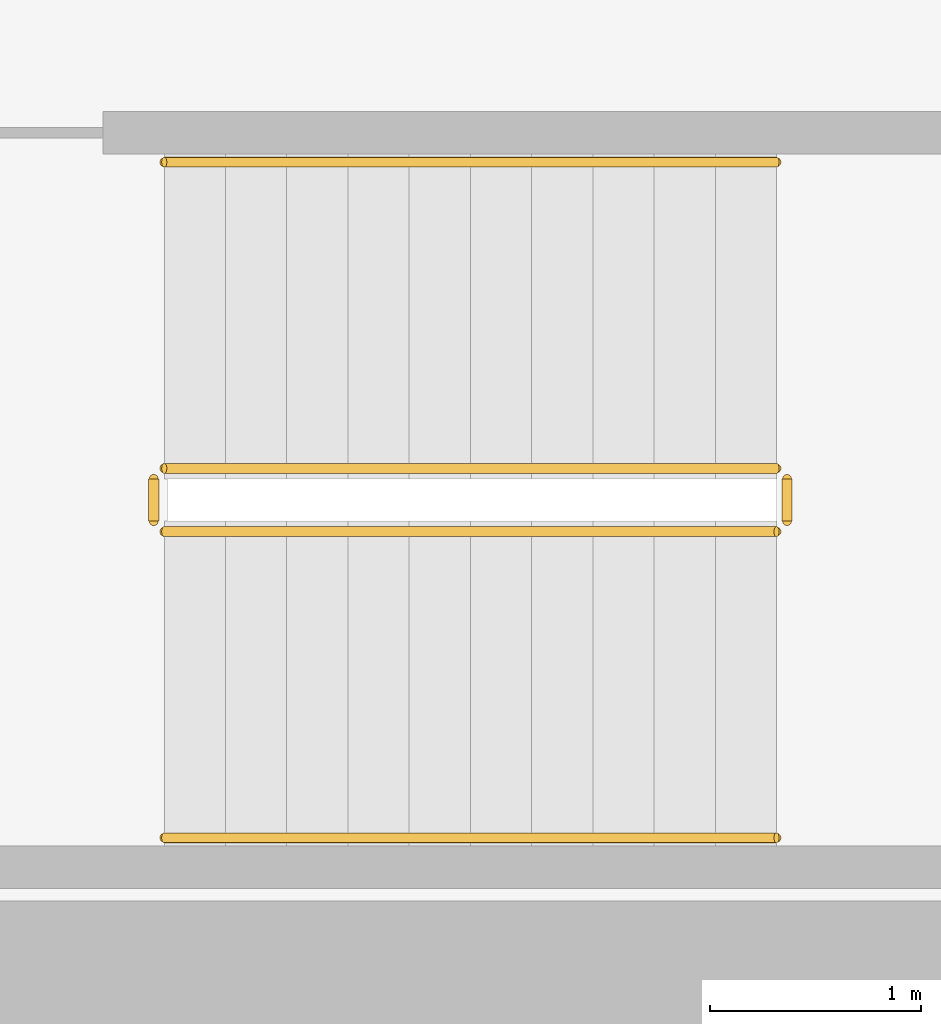
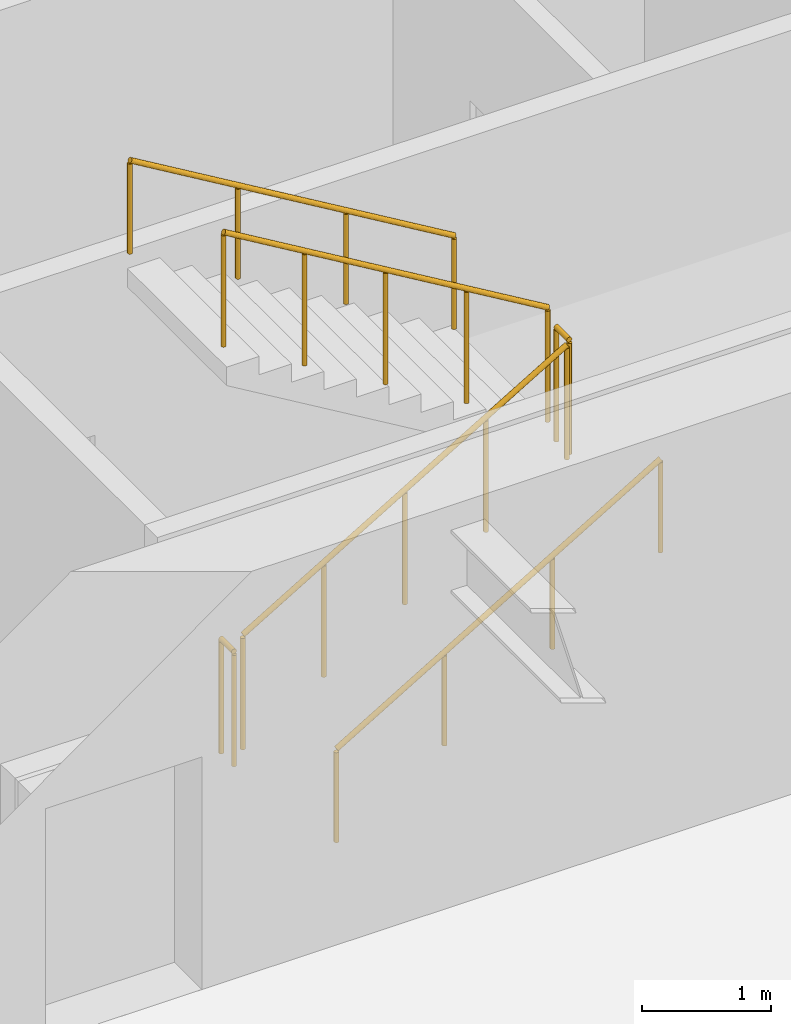
# One storey, part 19 of 20: 6 railings.
"""IFC4 building model written with IfcOpenShell, lengths in metres."""

from ifc_helpers import new_model, si_unit, direction, frame, origin, origin_2d, place, context, subcontext, project, spatial, circle, extrude, material, type_object, element, save


model = new_model("IFC4")

# Units and contexts
model_context = context("Model", 3, precision=1e-05, world=origin(), true_north=direction((0.0, 1.0)))
body_context = subcontext(model_context, "Body", "Model", "MODEL_VIEW")
ifc_project = project(units=[si_unit("LENGTHUNIT", "METRE"), si_unit("AREAUNIT", "SQUARE_METRE"), si_unit("VOLUMEUNIT", "CUBIC_METRE"), si_unit("PLANEANGLEUNIT", "RADIAN"), si_unit("MASSUNIT", "GRAM", prefix="KILO")], contexts=[model_context])

# Site, building, storey
site_placement = place(None, origin())
site = spatial("IfcSite", under=ifc_project, at=site_placement, CompositionType="ELEMENT")
building_placement = place(site_placement, origin())
building = spatial("IfcBuilding", under=site, at=building_placement, Name="Putna Gate Headquarters", CompositionType="ELEMENT")
storey_placement = place(building_placement, frame((0.0, 0.0, 112.60009765625)))
storey = spatial("IfcBuildingStorey", under=building, at=storey_placement, Name="L27", CompositionType="ELEMENT", Elevation=112.60009765625)

# Railings
ifc_material_1 = material(Name="Powder-coated steel stair guardrail", Category="steel")
railing_type_1 = type_object("IfcRailingType", Name="RAIL-STAIR-GUARD-1100", PredefinedType="GUARDRAIL", material=ifc_material_1)
railing_1_placement = place(storey_placement, frame((57.89990234375, 21.10009765625, 0.172607421875)))
element("IfcRailing", 1, at=railing_1_placement, inside=storey, type_object=railing_type_1, Name="L27 ST2 stair guard 1", PredefinedType="GUARDRAIL", context=body_context, shape_type="SweptSolid", body=[
    extrude(circle(Radius=0.02392578125, at=origin_2d()), frame((0.0, 0.0, 1.076171875), z_axis=(0.859160404282, 0.0, 0.51170636083), x_axis=(0.0, 1.0, 0.0)), (0.0, 0.0, 1.0), 3.37548828125),
    extrude(circle(Radius=0.02099609375, at=origin_2d()), origin(), (0.0, 0.0, 1.0), 1.052001953125),
    extrude(circle(Radius=0.02099609375, at=origin_2d()), frame((0.72509765625, 0.0, 0.431884765625)), (0.0, 0.0, 1.0), 1.052001953125),
    extrude(circle(Radius=0.02099609375, at=origin_2d()), frame((1.4501953125, 0.0, 0.86376953125)), (0.0, 0.0, 1.0), 1.052001953125),
    extrude(circle(Radius=0.02099609375, at=origin_2d()), frame((2.175048828125, 0.0, 1.29541015625)), (0.0, 0.0, 1.0), 1.052001953125),
    extrude(circle(Radius=0.02099609375, at=origin_2d()), frame((2.900146484375, 0.0, 1.727294921875)), (0.0, 0.0, 1.0), 1.052001953125),
])
railing_2_placement = place(storey_placement, frame((60.85009765625, 21.14990234375, 1.89990234375)))
element("IfcRailing", 2, at=railing_2_placement, inside=storey, type_object=railing_type_1, Name="L27 ST2 stair guard 2", PredefinedType="GUARDRAIL", context=body_context, shape_type="SweptSolid", body=[
    extrude(circle(Radius=0.02392578125, at=origin_2d()), frame((0.0, 0.0, 1.076171875), z_axis=(0.0, 1.0, 0.0), x_axis=(-1.0, 0.0, 0.0)), (0.0, 0.0, 1.0), 0.2001953125),
    extrude(circle(Radius=0.02099609375, at=origin_2d()), origin(), (0.0, 0.0, 1.0), 1.052001953125),
    extrude(circle(Radius=0.02099609375, at=origin_2d()), frame((0.0, 0.2001953125, 0.0)), (0.0, 0.0, 1.0), 1.052001953125),
])
railing_3_placement = place(storey_placement, frame((60.800048828125, 21.39990234375, 2.072509765625)))
element("IfcRailing", 3, at=railing_3_placement, inside=storey, type_object=railing_type_1, Name="L27 ST2 stair guard 3", PredefinedType="GUARDRAIL", context=body_context, shape_type="SweptSolid", body=[
    extrude(circle(Radius=0.02392578125, at=origin_2d()), frame((0.0, 0.0, 1.076171875), z_axis=(-0.859160404282, 0.0, 0.51170636083), x_axis=(0.0, -1.0, 0.0)), (0.0, 0.0, 1.0), 3.37548828125),
    extrude(circle(Radius=0.02099609375, at=origin_2d()), origin(), (0.0, 0.0, 1.0), 1.052001953125),
    extrude(circle(Radius=0.02099609375, at=origin_2d()), frame((-0.72509765625, 0.0, 0.431884765625)), (0.0, 0.0, 1.0), 1.052001953125),
    extrude(circle(Radius=0.02099609375, at=origin_2d()), frame((-1.4501953125, 0.0, 0.86376953125)), (0.0, 0.0, 1.0), 1.052001953125),
    extrude(circle(Radius=0.02099609375, at=origin_2d()), frame((-2.175048828125, 0.0, 1.29541015625)), (0.0, 0.0, 1.0), 1.052001953125),
    extrude(circle(Radius=0.02099609375, at=origin_2d()), frame((-2.900146484375, 0.0, 1.727294921875)), (0.0, 0.0, 1.0), 1.052001953125),
])
railing_4_placement = place(storey_placement, frame((57.85009765625, 21.14990234375, 0.0)))
element("IfcRailing", 4, at=railing_4_placement, inside=storey, type_object=railing_type_1, Name="L27 ST2 stair guard 4", PredefinedType="GUARDRAIL", context=body_context, shape_type="SweptSolid", body=[
    extrude(circle(Radius=0.02392578125, at=origin_2d()), frame((0.0, 0.0, 1.076171875), z_axis=(0.0, 1.0, 0.0), x_axis=(-1.0, 0.0, 0.0)), (0.0, 0.0, 1.0), 0.2001953125),
    extrude(circle(Radius=0.02099609375, at=origin_2d()), origin(), (0.0, 0.0, 1.0), 1.052001953125),
    extrude(circle(Radius=0.02099609375, at=origin_2d()), frame((0.0, 0.2001953125, 0.0)), (0.0, 0.0, 1.0), 1.052001953125),
])
ifc_material_2 = material(Name="Brushed stainless steel handrail", Category="steel")
railing_type_2 = type_object("IfcRailingType", Name="RAIL-STAIR-HAND-900", PredefinedType="HANDRAIL", material=ifc_material_2)
railing_5_placement = place(storey_placement, frame((57.89990234375, 19.64990234375, 0.172607421875)))
element("IfcRailing", 5, at=railing_5_placement, inside=storey, type_object=railing_type_2, Name="L27 ST2 stair handrail 1", PredefinedType="HANDRAIL", context=body_context, shape_type="SweptSolid", body=[
    extrude(circle(Radius=0.02392578125, at=origin_2d()), frame((0.0, 0.0, 0.8759765625), z_axis=(0.859160404282, 0.0, 0.51170636083), x_axis=(0.0, 1.0, 0.0)), (0.0, 0.0, 1.0), 3.37548828125),
    extrude(circle(Radius=0.02099609375, at=origin_2d()), origin(), (0.0, 0.0, 1.0), 0.851806640625),
    extrude(circle(Radius=0.02099609375, at=origin_2d()), frame((0.966796875, 0.0, 0.57568359375)), (0.0, 0.0, 1.0), 0.851806640625),
    extrude(circle(Radius=0.02099609375, at=origin_2d()), frame((1.933349609375, 0.0, 1.151611328125)), (0.0, 0.0, 1.0), 0.851806640625),
    extrude(circle(Radius=0.02099609375, at=origin_2d()), frame((2.900146484375, 0.0, 1.727294921875)), (0.0, 0.0, 1.0), 0.851806640625),
])
railing_6_placement = place(storey_placement, frame((60.800048828125, 22.85009765625, 2.072509765625)))
element("IfcRailing", 6, at=railing_6_placement, inside=storey, type_object=railing_type_2, Name="L27 ST2 stair handrail 2", PredefinedType="HANDRAIL", context=body_context, shape_type="SweptSolid", body=[
    extrude(circle(Radius=0.02392578125, at=origin_2d()), frame((0.0, 0.0, 0.8759765625), z_axis=(-0.859160404282, 0.0, 0.51170636083), x_axis=(0.0, -1.0, 0.0)), (0.0, 0.0, 1.0), 3.37548828125),
    extrude(circle(Radius=0.02099609375, at=origin_2d()), origin(), (0.0, 0.0, 1.0), 0.851806640625),
    extrude(circle(Radius=0.02099609375, at=origin_2d()), frame((-0.966796875, 0.0, 0.57568359375)), (0.0, 0.0, 1.0), 0.851806640625),
    extrude(circle(Radius=0.02099609375, at=origin_2d()), frame((-1.933349609375, 0.0, 1.151611328125)), (0.0, 0.0, 1.0), 0.851806640625),
    extrude(circle(Radius=0.02099609375, at=origin_2d()), frame((-2.900146484375, 0.0, 1.727294921875)), (0.0, 0.0, 1.0), 0.851806640625),
])

save(model, "model.ifc")
